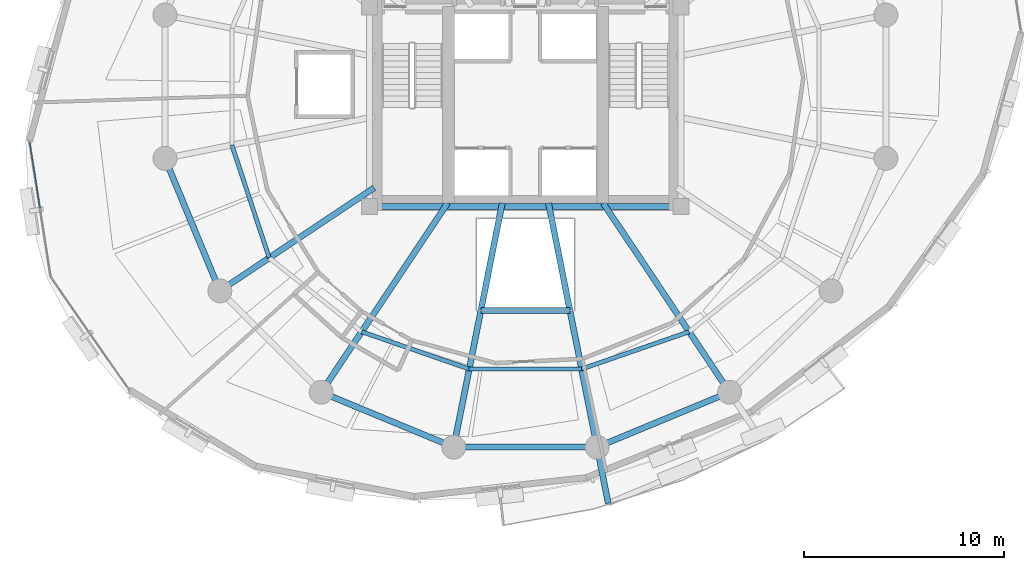
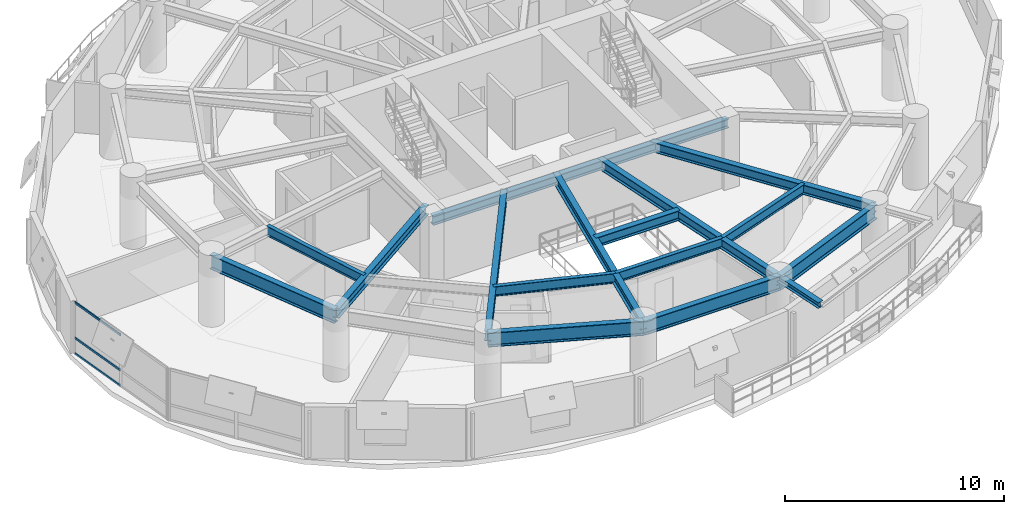
# One storey, part 3 of 14: 16 beams, 3 members, 1 element without a shape of its own.
"""IFC4 building model written with IfcOpenShell, lengths in metres."""

from ifc_helpers import new_model, si_unit, direction, frame, origin, origin_2d, place, context, subcontext, project, spatial, hollow_rectangle, i_section, extrude, material, layer, layer_set, material_profile, profile_set, type_object, element, aggregate, save


model = new_model("IFC4")

# Units and contexts
model_context = context("Model", 3, precision=1e-05, world=origin(), true_north=direction((0.0, 1.0)))
body_context = subcontext(model_context, "Body", "Model", "MODEL_VIEW")
ifc_project = project(units=[si_unit("LENGTHUNIT", "METRE"), si_unit("AREAUNIT", "SQUARE_METRE"), si_unit("VOLUMEUNIT", "CUBIC_METRE"), si_unit("PLANEANGLEUNIT", "RADIAN"), si_unit("MASSUNIT", "GRAM", prefix="KILO"), si_unit("THERMODYNAMICTEMPERATUREUNIT", "KELVIN"), si_unit("POWERUNIT", "WATT")], contexts=[model_context])

# Site, building, storey
site_placement = place(None, origin())
site = spatial("IfcSite", under=ifc_project, at=site_placement, CompositionType="ELEMENT")
building_placement = place(site_placement, origin())
building = spatial("IfcBuilding", under=site, at=building_placement, Name="Ocrelia Relay Tower", CompositionType="ELEMENT")
storey_placement = place(building_placement, frame((0.0, 0.0, 125.800048828125)))
storey = spatial("IfcBuildingStorey", under=building, at=storey_placement, Name="L29", CompositionType="ELEMENT", Elevation=125.800048828125)

# Beams
ifc_material_1 = material(Name="Steel S355", Category="steel")
ifc_material_profile_1 = material_profile(ifc_material_1, i_section(OverallWidth=0.300048828125, OverallDepth=0.330078125, WebThickness=0.009521484375, FlangeThickness=0.0166015625, FilletRadius=0.027099609375, at=origin_2d()), Name="HEA 340")
ifc_profile_set_1 = profile_set([ifc_material_profile_1], Name="Steel S355")
beam_type_1 = type_object("IfcBeamType", Name="BM-HEA340", PredefinedType="BEAM", material=ifc_profile_set_1)
beam_1_placement = place(storey_placement, frame((37.589599609375, 7.95361328125, 3.554931640625), z_axis=(0.195150402675, -0.980773327704, 0.0), x_axis=(0.980773327704, 0.195150402675, 0.0)))
element("IfcBeam", 1, at=beam_1_placement, inside=storey, type_object=beam_type_1, Name="L30 Balcony Cantilever Beam B2-1", PredefinedType="BEAM", context=body_context, shape_type="SweptSolid", body=[
    extrude(i_section(OverallWidth=0.300048828125, OverallDepth=0.330078125, WebThickness=0.009521484375, FlangeThickness=0.0166015625, FilletRadius=0.027099609375, at=origin_2d()), origin(), (0.0, 0.0, 1.0), 2.86865234375),
])
ifc_material_profile_2 = material_profile(ifc_material_1, i_section(OverallWidth=0.300048828125, OverallDepth=0.5, WebThickness=0.014404296875, FlangeThickness=0.028076171875, FilletRadius=0.027099609375, at=origin_2d()), Name="HEB 500")
ifc_profile_set_2 = profile_set([ifc_material_profile_2], Name="Steel S355")
beam_type_2 = type_object("IfcBeamType", Name="BM-HEB500", PredefinedType="BEAM", material=ifc_profile_set_2)
beam_2_placement = place(storey_placement, frame((26.199951171875, 20.0, 3.469970703125), z_axis=(1.0, 0.0, 0.0), x_axis=(0.0, 1.0, 0.0)))
element("IfcBeam", 2, at=beam_2_placement, inside=storey, type_object=beam_type_2, Name="L29 Core Pilaster Tie Beam S", PredefinedType="BEAM", context=body_context, shape_type="SweptSolid", body=[
    extrude(i_section(OverallWidth=0.300048828125, OverallDepth=0.5, WebThickness=0.014404296875, FlangeThickness=0.028076171875, FilletRadius=0.027099609375, at=origin_2d()), origin(), (0.0, 0.0, 1.0), 15.60009765625),
])
ifc_material_profile_3 = material_profile(ifc_material_1, i_section(OverallWidth=0.300048828125, OverallDepth=0.550048828125, WebThickness=0.014892578125, FlangeThickness=0.029052734375, FilletRadius=0.027099609375, at=origin_2d()), Name="HEB 550")
ifc_profile_set_3 = profile_set([ifc_material_profile_3], Name="Steel S355")
beam_type_3 = type_object("IfcBeamType", Name="BM-HEB550", PredefinedType="BEAM", material=ifc_profile_set_3)
beam_3_placement = place(storey_placement, frame((18.700927734375, 15.777587890625, 3.445068359375), z_axis=(0.831472030531, 0.555566613868, 0.0), x_axis=(-0.555566613868, 0.831472030531, 0.0)))
element("IfcBeam", 3, at=beam_3_placement, inside=storey, type_object=beam_type_3, Name="L29 Radial Floor Girder R10", PredefinedType="BEAM", context=body_context, shape_type="SweptSolid", body=[
    extrude(i_section(OverallWidth=0.300048828125, OverallDepth=0.550048828125, WebThickness=0.014892578125, FlangeThickness=0.029052734375, FilletRadius=0.027099609375, at=origin_2d()), origin(), (0.0, 0.0, 1.0), 9.295654296875),
])
beam_4_placement = place(storey_placement, frame((23.777587890625, 10.700927734375, 3.445068359375), z_axis=(0.555565661158, 0.831472667105, 0.0), x_axis=(-0.831472667105, 0.555565661158, 0.0)))
element("IfcBeam", 4, at=beam_4_placement, inside=storey, type_object=beam_type_3, Name="L29 Radial Floor Girder R11", PredefinedType="BEAM", context=body_context, shape_type="SweptSolid", body=[
    extrude(i_section(OverallWidth=0.300048828125, OverallDepth=0.550048828125, WebThickness=0.014892578125, FlangeThickness=0.029052734375, FilletRadius=0.027099609375, at=origin_2d()), origin(), (0.0, 0.0, 1.0), 11.38818359375),
])
for number, where, z_axis, x_axis, name in (
    (5, (30.410400390625, 7.95361328125, 3.445068359375), (0.195086983979, 0.980785944374, 0.0), (-0.980785944374, 0.195086983979, 0.0), "L29 Radial Floor Girder R12"),
    (6, (37.589599609375, 7.95361328125, 3.445068359375), (-0.195086983979, 0.980785944374, 0.0), (-0.980785944374, -0.195086983979, 0.0), "L29 Radial Floor Girder R13"),
):
    element("IfcBeam", number, at=place(storey_placement, frame(where, z_axis=z_axis, x_axis=x_axis)), inside=storey, type_object=beam_type_3, Name=name, PredefinedType="BEAM", context=body_context, shape_type="SweptSolid", body=[
        extrude(i_section(OverallWidth=0.300048828125, OverallDepth=0.550048828125, WebThickness=0.014892578125, FlangeThickness=0.029052734375, FilletRadius=0.027099609375, at=origin_2d()), origin(), (0.0, 0.0, 1.0), 12.45556640625),
    ])
beam_5_placement = place(storey_placement, frame((44.222412109375, 10.700927734375, 3.445068359375), z_axis=(-0.555565661158, 0.831472667105, 0.0), x_axis=(-0.831472667105, -0.555565661158, 0.0)))
element("IfcBeam", 7, at=beam_5_placement, inside=storey, type_object=beam_type_3, Name="L29 Radial Floor Girder R14", PredefinedType="BEAM", context=body_context, shape_type="SweptSolid", body=[
    extrude(i_section(OverallWidth=0.300048828125, OverallDepth=0.550048828125, WebThickness=0.014892578125, FlangeThickness=0.029052734375, FilletRadius=0.027099609375, at=origin_2d()), origin(), (0.0, 0.0, 1.0), 11.38818359375),
])
beam_6_placement = place(storey_placement, frame((31.772216796875, 14.800048828125, 3.445068359375), z_axis=(1.0, 0.0, 0.0), x_axis=(0.0, 1.0, 0.0)))
element("IfcBeam", 8, at=beam_6_placement, inside=storey, type_object=beam_type_3, Name="L29 Atrium South Trimmer Beam", PredefinedType="BEAM", context=body_context, shape_type="SweptSolid", body=[
    extrude(i_section(OverallWidth=0.300048828125, OverallDepth=0.550048828125, WebThickness=0.014892578125, FlangeThickness=0.029052734375, FilletRadius=0.027099609375, at=origin_2d()), origin(), (0.0, 0.0, 1.0), 4.45556640625),
])
ifc_material_profile_4 = material_profile(ifc_material_1, i_section(OverallWidth=0.300048828125, OverallDepth=0.800048828125, WebThickness=0.017578125, FlangeThickness=0.032958984375, FilletRadius=0.030029296875, at=origin_2d()), Name="HEB 800")
ifc_profile_set_4 = profile_set([ifc_material_profile_4], Name="Steel S355")
beam_type_4 = type_object("IfcBeamType", Name="BM-HEB800", PredefinedType="BEAM", material=ifc_profile_set_4)
for number, where, z_axis, x_axis, name in (
    (9, (15.95361328125, 22.410400390625, 3.320068359375), (0.382673155247, -0.923883789366, 0.0), (0.923883789366, 0.382673155247, 0.0), "L29 Perimeter Spandrel Beam S09"),
    (10, (23.777587890625, 10.700927734375, 3.320068359375), (0.923883789366, -0.382673155247, 0.0), (0.382673155247, 0.923883789366, 0.0), "L29 Perimeter Spandrel Beam S11"),
    (11, (30.410400390625, 7.95361328125, 3.320068359375), (1.0, 0.0, 0.0), (0.0, 1.0, 0.0), "L29 Perimeter Spandrel Beam S12"),
    (12, (37.589599609375, 7.95361328125, 3.320068359375), (0.923883789366, 0.382673155247, 0.0), (-0.382673155247, 0.923883789366, 0.0), "L29 Perimeter Spandrel Beam S13"),
):
    element("IfcBeam", number, at=place(storey_placement, frame(where, z_axis=z_axis, x_axis=x_axis)), inside=storey, type_object=beam_type_4, Name=name, PredefinedType="BEAM", context=body_context, shape_type="SweptSolid", body=[
        extrude(i_section(OverallWidth=0.300048828125, OverallDepth=0.800048828125, WebThickness=0.017578125, FlangeThickness=0.032958984375, FilletRadius=0.030029296875, at=origin_2d()), origin(), (0.0, 0.0, 1.0), 7.17919921875),
    ])
ifc_material_profile_5 = material_profile(ifc_material_1, i_section(OverallWidth=0.2099609375, OverallDepth=0.550048828125, WebThickness=0.010986328125, FlangeThickness=0.01708984375, FilletRadius=0.02392578125, at=origin_2d()), Name="IPE 550")
ifc_profile_set_5 = profile_set([ifc_material_profile_5], Name="Steel S355")
beam_type_5 = type_object("IfcBeamType", Name="BM-IPE550", PredefinedType="JOIST", material=ifc_profile_set_5)
beam_7_placement = place(storey_placement, frame((19.305908203125, 23.0771484375, 3.445068359375), z_axis=(0.314121352003, -0.949382839647, 0.0), x_axis=(0.949382839647, 0.314121352003, 0.0)))
element("IfcBeam", 13, at=beam_7_placement, inside=storey, type_object=beam_type_5, Name="L29 Secondary Floor Joist J09", PredefinedType="JOIST", context=body_context, shape_type="SweptSolid", body=[
    extrude(i_section(OverallWidth=0.2099609375, OverallDepth=0.550048828125, WebThickness=0.010986328125, FlangeThickness=0.01708984375, FilletRadius=0.02392578125, at=origin_2d()), origin(), (0.0, 0.0, 1.0), 5.947998046875),
])
beam_8_placement = place(storey_placement, frame((25.802001953125, 13.731201171875, 3.445068359375), z_axis=(0.944767437111, -0.327741498401, 0.0), x_axis=(0.327741498401, 0.944767437111, 0.0)))
element("IfcBeam", 14, at=beam_8_placement, inside=storey, type_object=beam_type_5, Name="L29 Secondary Floor Joist J11", PredefinedType="JOIST", context=body_context, shape_type="SweptSolid", body=[
    extrude(i_section(OverallWidth=0.2099609375, OverallDepth=0.550048828125, WebThickness=0.010986328125, FlangeThickness=0.01708984375, FilletRadius=0.02392578125, at=origin_2d()), origin(), (0.0, 0.0, 1.0), 5.700927734375),
])
beam_9_placement = place(storey_placement, frame((31.18798828125, 11.86279296875, 3.445068359375), z_axis=(1.0, 0.0, 0.0), x_axis=(0.0, 1.0, 0.0)))
element("IfcBeam", 15, at=beam_9_placement, inside=storey, type_object=beam_type_5, Name="L29 Secondary Floor Joist J12", PredefinedType="JOIST", context=body_context, shape_type="SweptSolid", body=[
    extrude(i_section(OverallWidth=0.2099609375, OverallDepth=0.550048828125, WebThickness=0.010986328125, FlangeThickness=0.01708984375, FilletRadius=0.02392578125, at=origin_2d()), origin(), (0.0, 0.0, 1.0), 5.6240234375),
])
beam_10_placement = place(storey_placement, frame((36.81201171875, 11.86279296875, 3.445068359375), z_axis=(0.944767437111, 0.327741498401, 0.0), x_axis=(-0.327741498401, 0.944767437111, 0.0)))
element("IfcBeam", 16, at=beam_10_placement, inside=storey, type_object=beam_type_5, Name="L29 Secondary Floor Joist J13", PredefinedType="JOIST", context=body_context, shape_type="SweptSolid", body=[
    extrude(i_section(OverallWidth=0.2099609375, OverallDepth=0.550048828125, WebThickness=0.010986328125, FlangeThickness=0.01708984375, FilletRadius=0.02392578125, at=origin_2d()), origin(), (0.0, 0.0, 1.0), 5.700927734375),
])

# Curtain wall, members
ifc_material_2 = material(Name="Aluminium and solar-control low-E glass", Category="aluminium")
ifc_layer = layer(ifc_material_2, 0.179931640625, Name="Aluminium and solar-control low-E glass")
ifc_layer_set = layer_set([ifc_layer], Name="Aluminium and solar-control low-E glass")
curtain_wall_type = type_object("IfcCurtainWallType", Name="CW-SYS-Z2-SWIT", PredefinedType="NOTDEFINED", material=ifc_layer_set)
curtain_wall_placement = place(storey_placement, origin())
curtain_wall = element("IfcCurtainWall", 17, at=curtain_wall_placement, inside=storey, type_object=curtain_wall_type, Name="L29 Elliptical Tower Curtain Wall Bay 09", PredefinedType="NOTDEFINED")
ifc_material_3 = material(Name="Anodised bronze aluminium", Category="aluminium")
ifc_material_profile_6 = material_profile(ifc_material_3, hollow_rectangle(XDim=0.06005859375, YDim=0.1201171875, WallThickness=0.0048828125, at=origin_2d()), Name="CW-TRN-120x60")
ifc_profile_set_6 = profile_set([ifc_material_profile_6], Name="Anodised bronze aluminium")
member_type = type_object("IfcMemberType", Name="CW-SYS-Z2-SWIT-TRN", PredefinedType="USERDEFINED", material=ifc_profile_set_6)
member_1_placement = place(storey_placement, frame((9.18798828125, 23.19970703125, 0.030029296875), z_axis=(0.154334445508, -0.98801866325, 0.0), x_axis=(0.98801866325, 0.154334445508, 0.0)))
member_1 = element("IfcMember", 18, at=member_1_placement, type_object=member_type, Name="CW-Z2 transom 1.1", ObjectType="TRANSOM", PredefinedType="USERDEFINED", context=body_context, shape_type="SweptSolid", body=[
    extrude(hollow_rectangle(XDim=0.06005859375, YDim=0.1201171875, WallThickness=0.0048828125, at=origin_2d()), origin(), (0.0, 0.0, 1.0), 3.334716796875),
])
member_2_placement = place(storey_placement, frame((9.18798828125, 23.19970703125, 0.89990234375), z_axis=(0.154334445508, -0.98801866325, 0.0), x_axis=(0.98801866325, 0.154334445508, 0.0)))
member_2 = element("IfcMember", 19, at=member_2_placement, type_object=member_type, Name="CW-Z2 transom 1.2", ObjectType="TRANSOM", PredefinedType="USERDEFINED", context=body_context, shape_type="SweptSolid", body=[
    extrude(hollow_rectangle(XDim=0.06005859375, YDim=0.1201171875, WallThickness=0.0048828125, at=origin_2d()), origin(), (0.0, 0.0, 1.0), 3.334716796875),
])
member_3_placement = place(storey_placement, frame((9.18798828125, 23.19970703125, 2.869873046875), z_axis=(0.154334445508, -0.98801866325, 0.0), x_axis=(0.98801866325, 0.154334445508, 0.0)))
member_3 = element("IfcMember", 20, at=member_3_placement, type_object=member_type, Name="CW-Z2 transom 1.3", ObjectType="TRANSOM", PredefinedType="USERDEFINED", context=body_context, shape_type="SweptSolid", body=[
    extrude(hollow_rectangle(XDim=0.06005859375, YDim=0.1201171875, WallThickness=0.0048828125, at=origin_2d()), origin(), (0.0, 0.0, 1.0), 3.334716796875),
])
aggregate(curtain_wall, [member_1, member_2, member_3])

save(model, "model.ifc")
